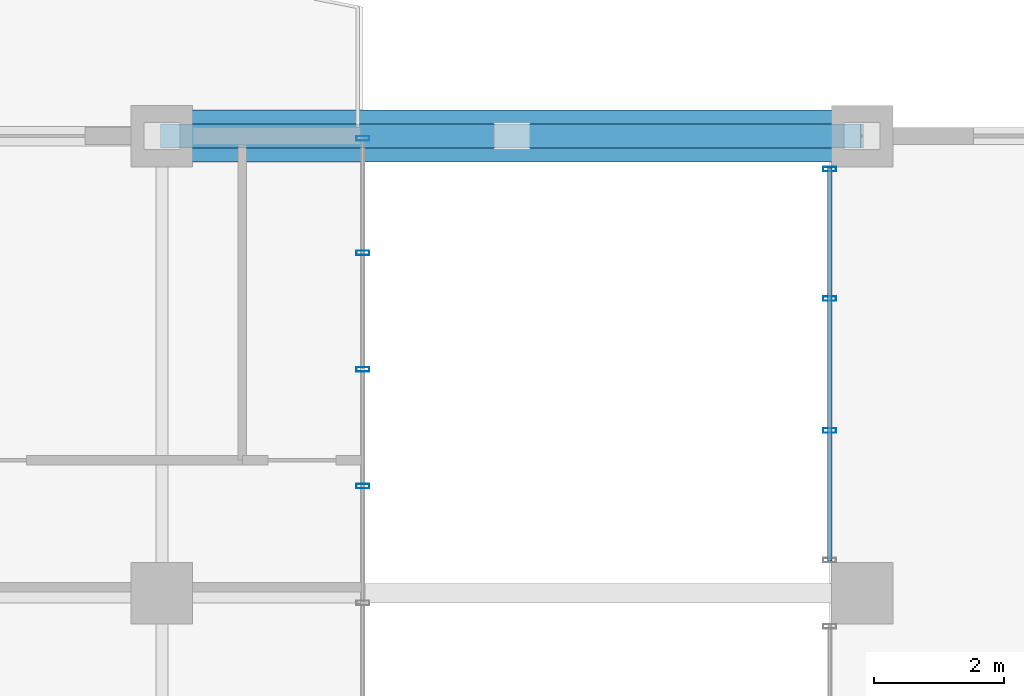
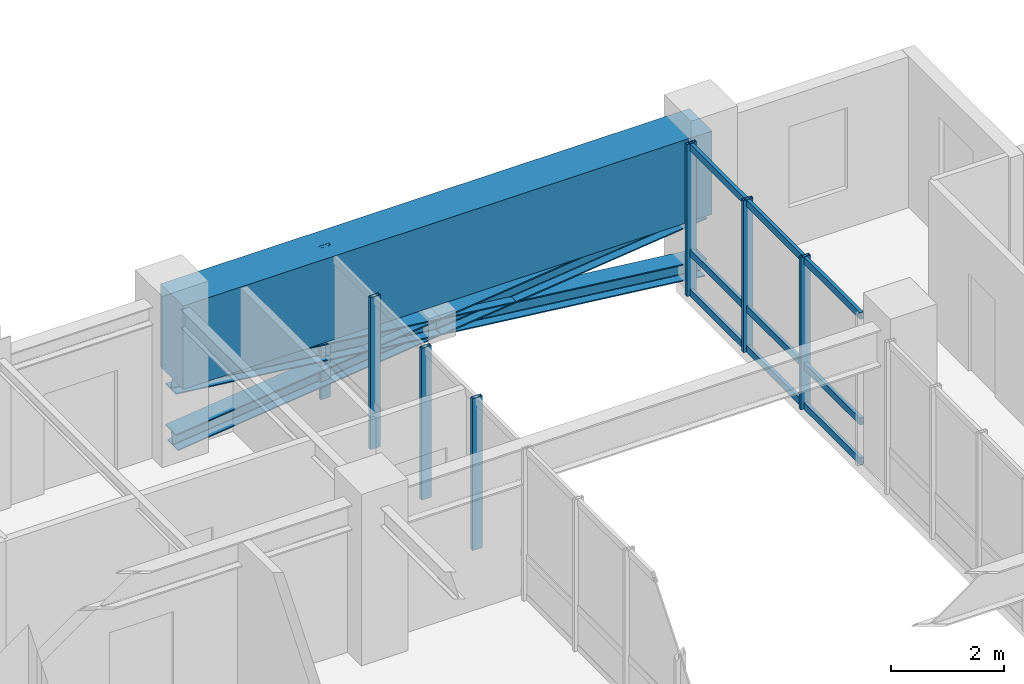
# One storey, part 14 of 23: 13 members, 1 beam, 2 elements without a shape of their own.
"""IFC4 building model written with IfcOpenShell, lengths in metres."""

from ifc_helpers import new_model, si_unit, direction, frame, origin, origin_2d, place, context, subcontext, project, spatial, rectangle, hollow_rectangle, i_section, extrude, source, transform, mapped, material, layer, layer_set, material_profile, profile_set, type_object, element, aggregate, save


model = new_model("IFC4")

# Units and contexts
model_context = context("Model", 3, precision=1e-05, world=origin(), true_north=direction((0.0, 1.0)))
body_context = subcontext(model_context, "Body", "Model", "MODEL_VIEW")
ifc_project = project(units=[si_unit("LENGTHUNIT", "METRE"), si_unit("AREAUNIT", "SQUARE_METRE"), si_unit("VOLUMEUNIT", "CUBIC_METRE"), si_unit("PLANEANGLEUNIT", "RADIAN"), si_unit("MASSUNIT", "GRAM", prefix="KILO")], contexts=[model_context])

# Site, building, storey
site_placement = place(None, origin())
site = spatial("IfcSite", under=ifc_project, at=site_placement, CompositionType="ELEMENT")
building_placement = place(site_placement, origin())
building = spatial("IfcBuilding", under=site, at=building_placement, Name="Kaliganga Portal Commons", CompositionType="ELEMENT")
storey_placement = place(building_placement, frame((0.0, 0.0, 246.199951171875)))
storey = spatial("IfcBuildingStorey", under=building, at=storey_placement, Name="L63", CompositionType="ELEMENT", Elevation=246.199951171875)

# Beam
ifc_material_1 = material(Name="Concrete C70/85", Category="concrete")
ifc_material_profile_1 = material_profile(ifc_material_1, rectangle(XDim=0.800048828125, YDim=1.800048828125, at=origin_2d()), Name="RC 800x1800")
ifc_profile_set_1 = profile_set([ifc_material_profile_1], Name="Concrete C70/85")
beam_type = type_object("IfcBeamType", Name="BM-XFER-1800", PredefinedType="T_BEAM", material=ifc_profile_set_1)
shared_shape_1 = source(origin(), body_context, "Body", "SweptSolid", [
    extrude(rectangle(XDim=0.800048828125, YDim=1.800048828125, at=origin_2d()), origin(), (0.0, 0.0, 1.0), 10.800048828125),
])
beam_placement = place(storey_placement, frame((36.0, 43.199951171875, 2.380126953125), z_axis=(1.0, 0.0, 0.0), x_axis=(0.0, 1.0, 0.0)))
element("IfcBeam", 1, at=beam_placement, inside=storey, type_object=beam_type, Name="BM PORTAL WPT2", PredefinedType="T_BEAM", context=body_context, shape_type="MappedRepresentation", body=[
    mapped(shared_shape_1, transform((0.0, 0.0, 0.0), x_axis=(1.0, 0.0, 0.0), y_axis=(0.0, 1.0, 0.0), z_axis=(0.0, 0.0, 1.0), scale=1.0)),
])

# Members
ifc_material_2 = material(Name="Structural steel S460M", Category="steel")
ifc_material_profile_2 = material_profile(ifc_material_2, i_section(OverallWidth=0.373046875, OverallDepth=0.367919921875, WebThickness=0.013916015625, FlangeThickness=0.02392578125, FilletRadius=0.014892578125, at=origin_2d()), Name="HD 360x179")
ifc_profile_set_2 = profile_set([ifc_material_profile_2], Name="Structural steel S460M wide-flange")
member_type_1 = type_object("IfcMemberType", Name="MBR-PORTAL-DIAG", PredefinedType="BRACE", material=ifc_profile_set_2)
shared_shape_2 = source(origin(), body_context, "Body", "SweptSolid", [
    extrude(i_section(OverallWidth=0.373046875, OverallDepth=0.367919921875, WebThickness=0.013916015625, FlangeThickness=0.02392578125, FilletRadius=0.014892578125, at=origin_2d()), origin(), (0.0, 0.0, 1.0), 10.869873046875),
])
member_1_placement = place(storey_placement, frame((36.0, 43.199951171875, 0.199951171875), z_axis=(0.993577335194, 0.0, 0.113155110308), x_axis=(0.0, 1.0, 0.0)))
element("IfcMember", 2, at=member_1_placement, inside=storey, type_object=member_type_1, Name="Wind Portal Bridging Truss Diagonal WPD-2L", PredefinedType="BRACE", context=body_context, shape_type="MappedRepresentation", body=[
    mapped(shared_shape_2, transform((0.0, 0.0, 0.0), x_axis=(1.0, 0.0, 0.0), y_axis=(0.0, 1.0, 0.0), z_axis=(0.0, 0.0, 1.0), scale=1.0)),
])
shared_shape_3 = source(origin(), body_context, "Body", "SweptSolid", [
    extrude(i_section(OverallWidth=0.373046875, OverallDepth=0.367919921875, WebThickness=0.013916015625, FlangeThickness=0.02392578125, FilletRadius=0.014892578125, at=origin_2d()), origin(), (0.0, 0.0, 1.0), 5.43505859375),
])
member_2_placement = place(storey_placement, frame((46.800048828125, 43.199951171875, 0.199951171875), z_axis=(-0.993577622768, 0.0, 0.113152585187), x_axis=(0.0, -1.0, 0.0)))
element("IfcMember", 3, at=member_2_placement, inside=storey, type_object=member_type_1, Name="Wind Portal Split Diagonal WPD-2R1", PredefinedType="BRACE", context=body_context, shape_type="MappedRepresentation", body=[
    mapped(shared_shape_3, transform((0.0, 0.0, 0.0), x_axis=(1.0, 0.0, 0.0), y_axis=(0.0, 1.0, 0.0), z_axis=(0.0, 0.0, 1.0), scale=1.0)),
])
shared_shape_4 = source(origin(), body_context, "Body", "SweptSolid", [
    extrude(i_section(OverallWidth=0.373046875, OverallDepth=0.367919921875, WebThickness=0.013916015625, FlangeThickness=0.02392578125, FilletRadius=0.014892578125, at=origin_2d()), origin(), (0.0, 0.0, 1.0), 5.434814453125),
])
member_3_placement = place(storey_placement, frame((41.39990234375, 43.199951171875, 0.81494140625), z_axis=(-0.993577047601, 0.0, 0.113157635541), x_axis=(0.0, -1.0, 0.0)))
element("IfcMember", 4, at=member_3_placement, inside=storey, type_object=member_type_1, Name="Wind Portal Split Diagonal WPD-2R2", PredefinedType="BRACE", context=body_context, shape_type="MappedRepresentation", body=[
    mapped(shared_shape_4, transform((0.0, 0.0, 0.0), x_axis=(1.0, 0.0, 0.0), y_axis=(0.0, 1.0, 0.0), z_axis=(0.0, 0.0, 1.0), scale=1.0)),
])

# Curtain wall, members
ifc_material_3 = material(Name="Anodized Aluminium and Laminated Low-E Glass", Category="aluminium")
ifc_layer = layer(ifc_material_3, 0.239990234375)
ifc_layer_set = layer_set([ifc_layer], Name="Anodized Aluminium and Laminated Low-E Glass")
curtain_wall_type = type_object("IfcCurtainWallType", Name="CW-SYS-04", PredefinedType="NOTDEFINED", material=ifc_layer_set)
curtain_wall_1_placement = place(storey_placement, origin())
curtain_wall_1 = element("IfcCurtainWall", 5, at=curtain_wall_1_placement, inside=storey, type_object=curtain_wall_type, Name="CW 04 L63 P2E07S1", PredefinedType="NOTDEFINED")
ifc_material_4 = material(Name="Dark Bronze Anodized Aluminium", Category="aluminium")
ifc_material_profile_3 = material_profile(ifc_material_4, hollow_rectangle(XDim=0.070068359375, YDim=0.14990234375, WallThickness=0.00341796875, at=origin_2d()), Name="ALU TRAN 70x150x3.5")
ifc_profile_set_3 = profile_set([ifc_material_profile_3], Name="Dark Bronze Anodized Aluminium")
member_type_2 = type_object("IfcMemberType", Name="CW-TRN-150", PredefinedType="USERDEFINED", material=ifc_profile_set_3)
shared_shape_5 = source(origin(), body_context, "Body", "SweptSolid", [
    extrude(hollow_rectangle(XDim=0.070068359375, YDim=0.14990234375, WallThickness=0.00341796875, at=origin_2d()), origin(), (0.0, 0.0, 1.0), 6.05810546875),
])
member_4_placement = place(storey_placement, frame((46.300048828125, 42.7041015625, 0.06005859375), z_axis=(0.0, -1.0, 0.0), x_axis=(1.0, 0.0, 0.0)))
member_4 = element("IfcMember", 6, at=member_4_placement, type_object=member_type_2, Name="CW:04:L63:P2E07S1 Transom 1", ObjectType="TRANSOM", PredefinedType="USERDEFINED", context=body_context, shape_type="MappedRepresentation", body=[
    mapped(shared_shape_5, transform((0.0, 0.0, 0.0), x_axis=(1.0, 0.0, 0.0), y_axis=(0.0, 1.0, 0.0), z_axis=(0.0, 0.0, 1.0), scale=1.0)),
])
member_5_placement = place(storey_placement, frame((46.300048828125, 42.7041015625, 0.91845703125), z_axis=(0.0, -1.0, 0.0), x_axis=(1.0, 0.0, 0.0)))
member_5 = element("IfcMember", 7, at=member_5_placement, type_object=member_type_2, Name="CW:04:L63:P2E07S1 Transom 2", ObjectType="TRANSOM", PredefinedType="USERDEFINED", context=body_context, shape_type="MappedRepresentation", body=[
    mapped(shared_shape_5, transform((0.0, 0.0, 0.0), x_axis=(1.0, 0.0, 0.0), y_axis=(0.0, 1.0, 0.0), z_axis=(0.0, 0.0, 1.0), scale=1.0)),
])
member_6_placement = place(storey_placement, frame((46.300048828125, 42.7041015625, 3.199951171875), z_axis=(0.0, -1.0, 0.0), x_axis=(1.0, 0.0, 0.0)))
member_6 = element("IfcMember", 8, at=member_6_placement, type_object=member_type_2, Name="CW:04:L63:P2E07S1 Transom 3", ObjectType="TRANSOM", PredefinedType="USERDEFINED", context=body_context, shape_type="MappedRepresentation", body=[
    mapped(shared_shape_5, transform((0.0, 0.0, 0.0), x_axis=(1.0, 0.0, 0.0), y_axis=(0.0, 1.0, 0.0), z_axis=(0.0, 0.0, 1.0), scale=1.0)),
])

curtain_wall_2_placement = place(storey_placement, origin())
curtain_wall_2 = element("IfcCurtainWall", 9, at=curtain_wall_2_placement, inside=storey, type_object=curtain_wall_type, Name="CW 04 L63 P1E01S1", PredefinedType="NOTDEFINED")
ifc_material_profile_4 = material_profile(ifc_material_4, hollow_rectangle(XDim=0.070068359375, YDim=0.199951171875, WallThickness=0.00390625, at=origin_2d()), Name="ALU MULL 70x200x4")
ifc_profile_set_4 = profile_set([ifc_material_profile_4], Name="Dark Bronze Anodized Aluminium")
member_type_3 = type_object("IfcMemberType", Name="CW-MUL-220", PredefinedType="MULLION", material=ifc_profile_set_4)
shared_shape_6 = source(origin(), body_context, "Body", "SweptSolid", [
    extrude(hollow_rectangle(XDim=0.070068359375, YDim=0.199951171875, WallThickness=0.00390625, at=origin_2d()), origin(), (0.0, 0.0, 1.0), 3.280029296875),
])
member_7_placement = place(storey_placement, frame((39.10009765625, 37.800048828125, 0.0), z_axis=(0.0, 0.0, 1.0), x_axis=(0.0, 1.0, 0.0)))
member_7 = element("IfcMember", 10, at=member_7_placement, type_object=member_type_3, Name="CW:04:L63:P1E01S1 Mullion 09", PredefinedType="MULLION", context=body_context, shape_type="MappedRepresentation", body=[
    mapped(shared_shape_6, transform((0.0, 0.0, 0.0), x_axis=(1.0, 0.0, 0.0), y_axis=(0.0, 1.0, 0.0), z_axis=(0.0, 0.0, 1.0), scale=1.0)),
])
member_8_placement = place(storey_placement, frame((39.10009765625, 39.60009765625, 0.0), z_axis=(0.0, 0.0, 1.0), x_axis=(0.0, 1.0, 0.0)))
member_8 = element("IfcMember", 11, at=member_8_placement, type_object=member_type_3, Name="CW:04:L63:P1E01S1 Mullion 10", PredefinedType="MULLION", context=body_context, shape_type="MappedRepresentation", body=[
    mapped(shared_shape_6, transform((0.0, 0.0, 0.0), x_axis=(1.0, 0.0, 0.0), y_axis=(0.0, 1.0, 0.0), z_axis=(0.0, 0.0, 1.0), scale=1.0)),
])
member_9_placement = place(storey_placement, frame((39.10009765625, 41.39990234375, 0.0), z_axis=(0.0, 0.0, 1.0), x_axis=(0.0, 1.0, 0.0)))
member_9 = element("IfcMember", 12, at=member_9_placement, type_object=member_type_3, Name="CW:04:L63:P1E01S1 Mullion 11", PredefinedType="MULLION", context=body_context, shape_type="MappedRepresentation", body=[
    mapped(shared_shape_6, transform((0.0, 0.0, 0.0), x_axis=(1.0, 0.0, 0.0), y_axis=(0.0, 1.0, 0.0), z_axis=(0.0, 0.0, 1.0), scale=1.0)),
])
member_10_placement = place(storey_placement, frame((39.10009765625, 43.1650390625, 0.0), z_axis=(0.0, 0.0, 1.0), x_axis=(0.0, 1.0, 0.0)))
member_10 = element("IfcMember", 13, at=member_10_placement, type_object=member_type_3, Name="CW:04:L63:P1E01S1 Mullion 12", PredefinedType="MULLION", context=body_context, shape_type="MappedRepresentation", body=[
    mapped(shared_shape_6, transform((0.0, 0.0, 0.0), x_axis=(1.0, 0.0, 0.0), y_axis=(0.0, 1.0, 0.0), z_axis=(0.0, 0.0, 1.0), scale=1.0)),
])
aggregate(curtain_wall_2, [member_7, member_8, member_9, member_10])

# Member
member_11_placement = place(storey_placement, frame((46.300048828125, 42.68896484375, 0.0), z_axis=(0.0, 0.0, 1.0), x_axis=(0.0, -1.0, 0.0)))
member_11 = element("IfcMember", 14, at=member_11_placement, type_object=member_type_3, Name="CW:04:L63:P2E07S1 Mullion 00", PredefinedType="MULLION", context=body_context, shape_type="MappedRepresentation", body=[
    mapped(shared_shape_6, transform((0.0, 0.0, 0.0), x_axis=(1.0, 0.0, 0.0), y_axis=(0.0, 1.0, 0.0), z_axis=(0.0, 0.0, 1.0), scale=1.0)),
])

member_12_placement = place(storey_placement, frame((46.300048828125, 40.69140625, 0.0), z_axis=(0.0, 0.0, 1.0), x_axis=(0.0, -1.0, 0.0)))
member_12 = element("IfcMember", 15, at=member_12_placement, type_object=member_type_3, Name="CW:04:L63:P2E07S1 Mullion 01", PredefinedType="MULLION", context=body_context, shape_type="MappedRepresentation", body=[
    mapped(shared_shape_6, transform((0.0, 0.0, 0.0), x_axis=(1.0, 0.0, 0.0), y_axis=(0.0, 1.0, 0.0), z_axis=(0.0, 0.0, 1.0), scale=1.0)),
])

member_13_placement = place(storey_placement, frame((46.300048828125, 38.65869140625, 0.0), z_axis=(0.0, 0.0, 1.0), x_axis=(0.0, -1.0, 0.0)))
member_13 = element("IfcMember", 16, at=member_13_placement, type_object=member_type_3, Name="CW:04:L63:P2E07S1 Mullion 02", PredefinedType="MULLION", context=body_context, shape_type="MappedRepresentation", body=[
    mapped(shared_shape_6, transform((0.0, 0.0, 0.0), x_axis=(1.0, 0.0, 0.0), y_axis=(0.0, 1.0, 0.0), z_axis=(0.0, 0.0, 1.0), scale=1.0)),
])

aggregate(curtain_wall_1, [member_11, member_12, member_13, member_4, member_5, member_6])

save(model, "model.ifc")
